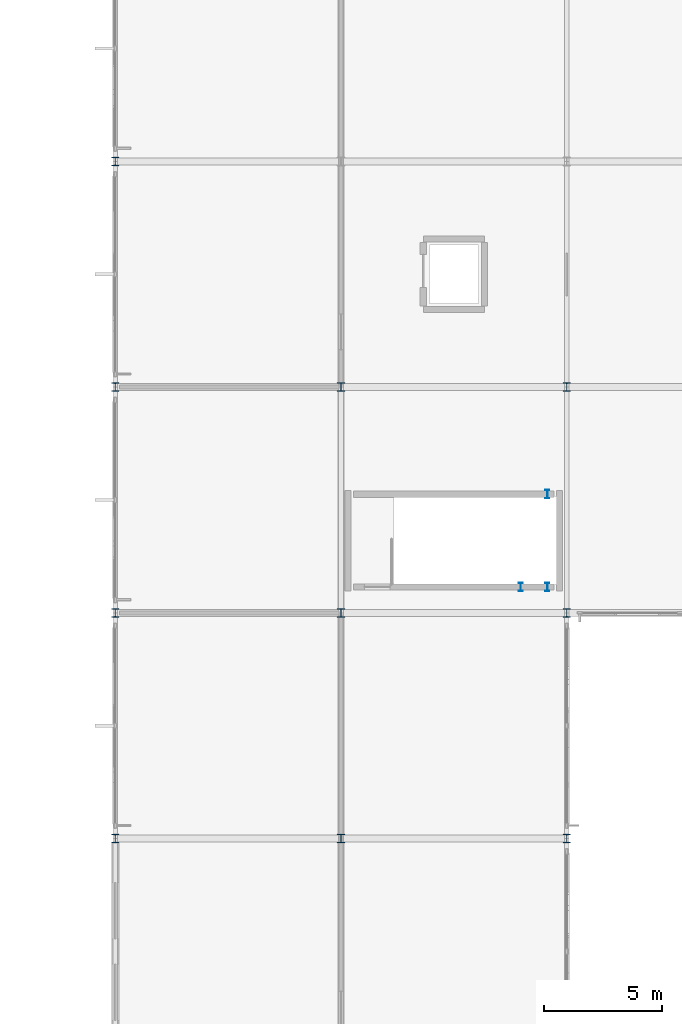
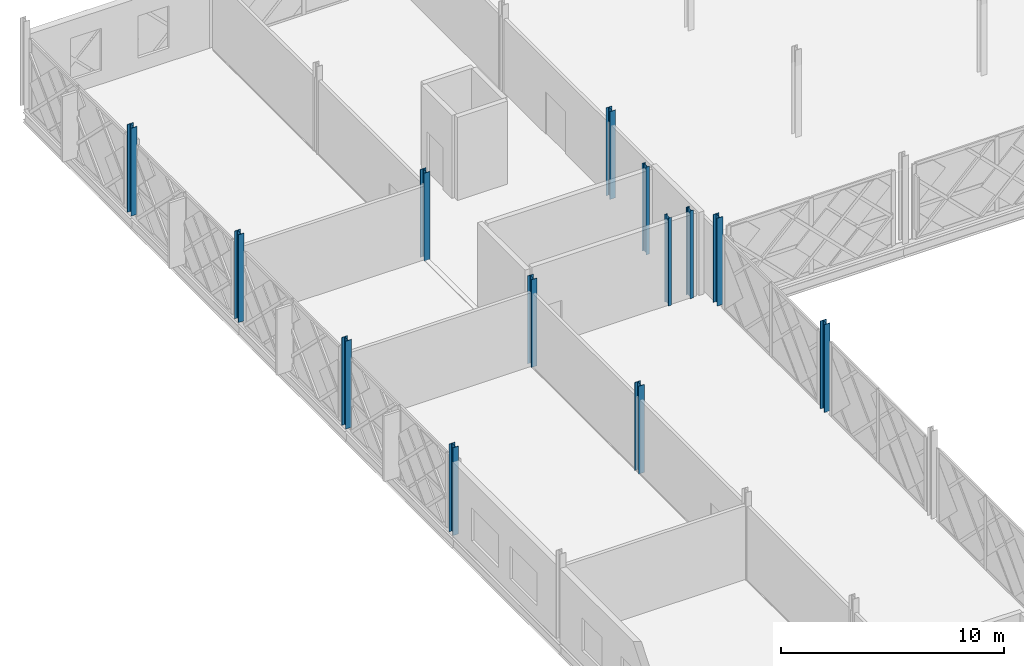
# One storey, part 8 of 77: 13 columns.
"""IFC4 building model written with IfcOpenShell, lengths in metres."""

import ifcopenshell
import ifcopenshell.guid

model = None  # the IFC model being written
_history = None  # IfcOwnerHistory: only IFC2X3 demands one
_inside = {}  # id of a spatial element -> (the spatial element, [elements in it])
_under = {}  # id of a project, library or spatial element -> (it, [spatial elements below it])
_declared = {}  # id of a project -> (the project, [libraries it declares])
_typed = {}  # id of a type object -> (the type object, [elements of that type])
_made_of = {}  # id of a material, layer set ... -> (it, [elements and type objects made of it])


def new_model(schema):
    """Start an empty IFC model of exactly this schema.

    Asked for "IFC4X3", IfcOpenShell would pick the latest addendum, in which some entities
    have other attributes; the version numbers below select the first issue.
    IFC2X3 requires an IfcOwnerHistory on every rooted entity: one is made here for all.
    """
    global model, _history
    if schema == "IFC4X3":
        model = ifcopenshell.file(schema_version=(4, 3, 0, 0))
    else:
        model = ifcopenshell.file(schema=schema)
    _inside.clear()
    _under.clear()
    _declared.clear()
    _typed.clear()
    _made_of.clear()
    _history = None
    if model.schema == "IFC2X3":
        org = make("IfcOrganization", Name="unknown")
        user = make(
            "IfcPersonAndOrganization",
            ThePerson=make("IfcPerson", FamilyName="unknown"),
            TheOrganization=org,
        )
        app = make(
            "IfcApplication",
            ApplicationDeveloper=org,
            Version="unknown",
            ApplicationFullName="unknown",
            ApplicationIdentifier="unknown",
        )
        _history = make(
            "IfcOwnerHistory",
            OwningUser=user,
            OwningApplication=app,
            ChangeAction="ADDED",
            CreationDate=0,
        )
    return model


def make(cls, **values):
    """One entity of the class cls with the attributes given. An attribute that is None is left unset."""
    return model.create_entity(
        cls, **{name: value for name, value in values.items() if value is not None}
    )


def rooted(cls, **values):
    """An entity with a GlobalId (a new one), such as an element, a storey or a relation."""
    return make(cls, GlobalId=ifcopenshell.guid.new(), OwnerHistory=_history, **values)


def si_unit(unit_type, name, prefix=None):
    """IfcSIUnit, for example si_unit("LENGTHUNIT", "METRE", prefix="MILLI")."""
    return make("IfcSIUnit", UnitType=unit_type, Prefix=prefix, Name=name)


def assignment(units):
    """IfcUnitAssignment: the units of a project."""
    return None if units is None else make("IfcUnitAssignment", Units=units)


def point(xyz):
    """IfcCartesianPoint."""
    return None if xyz is None else make("IfcCartesianPoint", Coordinates=xyz)


def direction(xyz):
    """IfcDirection."""
    return None if xyz is None else make("IfcDirection", DirectionRatios=xyz)


def frame(location, z_axis=None, x_axis=None):
    """IfcAxis2Placement3D, a coordinate frame: its origin and axes. An axis left out is left unset."""
    return make(
        "IfcAxis2Placement3D",
        Location=point(location),
        Axis=direction(z_axis),
        RefDirection=direction(x_axis),
    )


def frame_2d(location, x_axis=None):
    """IfcAxis2Placement2D, a coordinate frame in the plane: its origin and x axis."""
    return make(
        "IfcAxis2Placement2D", Location=point(location), RefDirection=direction(x_axis)
    )


def origin():
    """The frame at (0, 0, 0) with its axes left unset."""
    return frame((0.0, 0.0, 0.0))


def origin_2d():
    """The frame at (0, 0) in the plane with its x axis left unset."""
    return frame_2d((0.0, 0.0))


def place(relative_to, where):
    """IfcLocalPlacement: puts the frame where relative to a parent placement (None: the world)."""
    return make(
        "IfcLocalPlacement", PlacementRelTo=relative_to, RelativePlacement=where
    )


def context(
    kind, dimensions, precision=None, world=None, true_north=None, identifier=None
):
    """IfcGeometricRepresentationContext, for example the 3D "Model" context."""
    return make(
        "IfcGeometricRepresentationContext",
        ContextIdentifier=identifier,
        ContextType=kind,
        CoordinateSpaceDimension=dimensions,
        Precision=precision,
        WorldCoordinateSystem=world,
        TrueNorth=true_north,
    )


def subcontext(parent, identifier, kind, view, scale=None):
    """IfcGeometricRepresentationSubContext, for example "Body" below "Model"."""
    return make(
        "IfcGeometricRepresentationSubContext",
        ContextIdentifier=identifier,
        ContextType=kind,
        ParentContext=parent,
        TargetScale=scale,
        TargetView=view,
    )


def project(units=None, contexts=None):
    """IfcProject with its units and contexts."""
    return rooted(
        "IfcProject",
        Name="project",
        RepresentationContexts=contexts,
        UnitsInContext=assignment(units),
    )


def spatial(cls, under=None, at=None, **own):
    """A site, building, storey or space (cls), placed at a placement, below another one or the project."""
    s = rooted(cls, ObjectPlacement=at, **own)
    if under is not None:
        _under.setdefault(under.id(), (under, []))[1].append(s)
    return s


def profile(cls, at=None, kind="AREA", **sizes):
    """A parametric profile (cls). Its sizes go by their IFC names, for example OverallWidth=200.0."""
    return make(cls, ProfileType=kind, Position=at, **sizes)


def i_section(**sizes):
    """IfcIShapeProfileDef."""
    return profile("IfcIShapeProfileDef", **sizes)


def extrude(swept, where, along, depth):
    """IfcExtrudedAreaSolid: the profile swept, set in the frame where, extruded along a direction by depth."""
    return make(
        "IfcExtrudedAreaSolid",
        SweptArea=swept,
        Position=where,
        ExtrudedDirection=direction(along),
        Depth=depth,
    )


def shape(context_of_items, identifier, shape_type, items):
    """IfcShapeRepresentation: the items that make up one representation, for example the "Body"."""
    return make(
        "IfcShapeRepresentation",
        ContextOfItems=context_of_items,
        RepresentationIdentifier=identifier,
        RepresentationType=shape_type,
        Items=items,
    )


def material(Name=None, Category=None):
    """IfcMaterial."""
    return make("IfcMaterial", Name=Name, Category=Category)


def material_profile(
    of_material, cross_section, Name=None, Category=None, Priority=None
):
    """IfcMaterialProfile: a cross section and its material."""
    return make(
        "IfcMaterialProfile",
        Name=Name,
        Material=of_material,
        Profile=cross_section,
        Priority=Priority,
        Category=Category,
    )


def profile_set(profiles, Name=None, composite=None):
    """IfcMaterialProfileSet."""
    return make(
        "IfcMaterialProfileSet",
        Name=Name,
        MaterialProfiles=profiles,
        CompositeProfile=composite,
    )


def made_of(thing, what):
    """Note that an element or type object is made of a material, layer set ...; save() writes the relation."""
    if what is not None:
        _made_of.setdefault(what.id(), (what, []))[1].append(thing)
    return thing


def type_object(cls, material=None, **own):
    """A type object (cls), such as IfcWallType, which elements share."""
    return made_of(rooted(cls, **own), material)


def element(
    cls,
    number,
    at=None,
    inside=None,
    cuts=None,
    type_object=None,
    material=None,
    context=None,
    identifier="Body",
    shape_type=None,
    held_by="IfcProductDefinitionShape",
    body=None,
    shapes=None,
    **own,
):
    """One element of the class cls, such as IfcWall. Its Tag is "e" and its number.

    at: its placement. inside: the storey or other place that contains it. cuts: it is an
    opening in that element (IfcRelVoidsElement). A single representation is given by context,
    identifier, shape_type and body (its items); several are given by shapes. held_by: the class
    of the entity that holds the representations. save() writes the other relations.
    """
    e = rooted(cls, Tag="e%d" % number, ObjectPlacement=at, **own)
    if body is not None:
        shapes = [shape(context, identifier, shape_type, body)]
    if shapes is not None:
        e.Representation = make(held_by, Representations=shapes)
    if inside is not None:
        _inside.setdefault(inside.id(), (inside, []))[1].append(e)
    if cuts is not None:
        rooted(
            "IfcRelVoidsElement", RelatingBuildingElement=cuts, RelatedOpeningElement=e
        )
    if type_object is not None:
        _typed.setdefault(type_object.id(), (type_object, []))[1].append(e)
    return made_of(e, material)


def aggregate(whole, parts):
    """IfcRelAggregates: a whole, such as a stair, and the parts it consists of."""
    return rooted("IfcRelAggregates", RelatingObject=whole, RelatedObjects=parts)


def save(model, path):
    """Write the relations noted so far, then the file.

    IfcRelAggregates (storeys below a building ...), IfcRelContainedInSpatialStructure (elements
    in a storey), IfcRelDefinesByType, IfcRelAssociatesMaterial and IfcRelDeclares: one each for
    every whole, place, type object, material and project.
    """
    for whole, parts in _under.values():
        aggregate(whole, parts)
    for where, things in _inside.values():
        rooted(
            "IfcRelContainedInSpatialStructure",
            RelatedElements=things,
            RelatingStructure=where,
        )
    for kind, things in _typed.values():
        rooted("IfcRelDefinesByType", RelatedObjects=things, RelatingType=kind)
    for what, things in _made_of.values():
        rooted("IfcRelAssociatesMaterial", RelatedObjects=things, RelatingMaterial=what)
    for by, libraries in _declared.values():
        rooted("IfcRelDeclares", RelatingContext=by, RelatedDefinitions=libraries)
    model.write(path)


model = new_model("IFC4")

# Units and contexts
model_context = context("Model", 3, precision=1e-05, world=origin(), true_north=direction((0.0, 1.0)))
body_context = subcontext(model_context, "Body", "Model", "MODEL_VIEW")
ifc_project = project(units=[si_unit("LENGTHUNIT", "METRE"), si_unit("AREAUNIT", "SQUARE_METRE"), si_unit("VOLUMEUNIT", "CUBIC_METRE"), si_unit("PLANEANGLEUNIT", "RADIAN"), si_unit("MASSUNIT", "GRAM", prefix="KILO")], contexts=[model_context])

# Site, building, storey
site_placement = place(None, origin())
site = spatial("IfcSite", under=ifc_project, at=site_placement, CompositionType="ELEMENT")
building_placement = place(site_placement, origin())
building = spatial("IfcBuilding", under=site, at=building_placement, Name="Zevrakil Square Congress Hotel", CompositionType="ELEMENT")
storey_placement = place(building_placement, frame((0.0, 0.0, 9.89990234375)))
storey = spatial("IfcBuildingStorey", under=building, at=storey_placement, Name="L03", CompositionType="ELEMENT", Elevation=9.89990234375)

# Columns
ifc_material_1 = material(Name="Steel S355", Category="steel")
ifc_material_profile_1 = material_profile(ifc_material_1, i_section(OverallWidth=0.300048828125, OverallDepth=0.360107421875, WebThickness=0.012451171875, FlangeThickness=0.0224609375, FilletRadius=0.027099609375, at=origin_2d()), Name="HEB 360")
ifc_profile_set_1 = profile_set([ifc_material_profile_1], Name="Steel S355")
column_type_1 = type_object("IfcColumnType", Name="COL-HEB360", PredefinedType="COLUMN", material=ifc_profile_set_1)
for number, where, z_axis, x_axis, name in (
    (1, (45.60009765625, 74.39990234375, 0.0), (0.0, 0.0, 1.0), (1.0, 0.0, 0.0), "L03 column C-075"),
    (2, (45.60009765625, 84.0, 0.0), (0.0, 0.0, 1.0), (1.0, 0.0, 0.0), "L03 column C-076"),
    (3, (45.60009765625, 93.60009765625, 0.0), (0.0, 0.0, 1.0), (1.0, 0.0, 0.0), "L03 column C-077"),
    (4, (45.60009765625, 103.199951171875, 0.0), (0.0, 0.0, 1.0), (1.0, 0.0, 0.0), "L03 column C-078"),
    (5, (55.199951171875, 74.39990234375, 0.0), (0.0, 0.0, 1.0), (1.0, 0.0, 0.0), "L03 column C-093"),
    (6, (55.199951171875, 84.0, 0.0), (0.0, 0.0, 1.0), (1.0, 0.0, 0.0), "L03 column C-094"),
    (7, (55.199951171875, 93.60009765625, 0.0), (0.0, 0.0, 1.0), (1.0, 0.0, 0.0), "L03 column C-095"),
    (8, (64.800048828125, 74.39990234375, 0.0), (0.0, 0.0, 1.0), (1.0, 0.0, 0.0), "L03 column C-107"),
    (9, (64.800048828125, 84.0, 0.0), (0.0, 0.0, 1.0), (1.0, 0.0, 0.0), "L03 column C-108"),
    (10, (64.800048828125, 93.60009765625, 0.0), (0.0, 0.0, 1.0), (1.0, 0.0, 0.0), "L03 column C-109"),
):
    element("IfcColumn", number, at=place(storey_placement, frame(where, z_axis=z_axis, x_axis=x_axis)), inside=storey, type_object=column_type_1, Name=name, PredefinedType="COLUMN", context=body_context, shape_type="SweptSolid", body=[
        extrude(i_section(OverallWidth=0.300048828125, OverallDepth=0.360107421875, WebThickness=0.012451171875, FlangeThickness=0.0224609375, FilletRadius=0.027099609375, at=origin_2d()), origin(), (0.0, 0.0, 1.0), 4.800048828125),
    ])
ifc_material_2 = material(Name="Steel S355", Category="steel")
ifc_material_profile_2 = material_profile(ifc_material_2, i_section(OverallWidth=0.169921875, OverallDepth=0.360107421875, WebThickness=0.008056640625, FlangeThickness=0.0126953125, FilletRadius=0.01806640625, at=origin_2d()), Name="IPE 360")
ifc_profile_set_2 = profile_set([ifc_material_profile_2], Name="Steel S355")
column_type_2 = type_object("IfcColumnType", Name="COL-PILASTER-SHS180", PredefinedType="PILASTER", material=ifc_profile_set_2)
for number, where, z_axis, x_axis, name in (
    (11, (62.85009765625, 85.10009765625, 0.0), (0.0, 0.0, 1.0), (1.0, 0.0, 0.0), "L03 ST05 stair shaft post 1"),
    (12, (63.97998046875, 85.10009765625, 0.0), (0.0, 0.0, 1.0), (1.0, 0.0, 0.0), "L03 ST05 stair shaft post 2"),
    (13, (63.97998046875, 89.050048828125, 0.0), (0.0, 0.0, 1.0), (1.0, 0.0, 0.0), "L03 ST05 stair shaft post 3"),
):
    element("IfcColumn", number, at=place(storey_placement, frame(where, z_axis=z_axis, x_axis=x_axis)), inside=storey, type_object=column_type_2, Name=name, PredefinedType="PILASTER", context=body_context, shape_type="SweptSolid", body=[
        extrude(i_section(OverallWidth=0.169921875, OverallDepth=0.360107421875, WebThickness=0.008056640625, FlangeThickness=0.0126953125, FilletRadius=0.01806640625, at=origin_2d()), origin(), (0.0, 0.0, 1.0), 4.800048828125),
    ])

save(model, "model.ifc")
